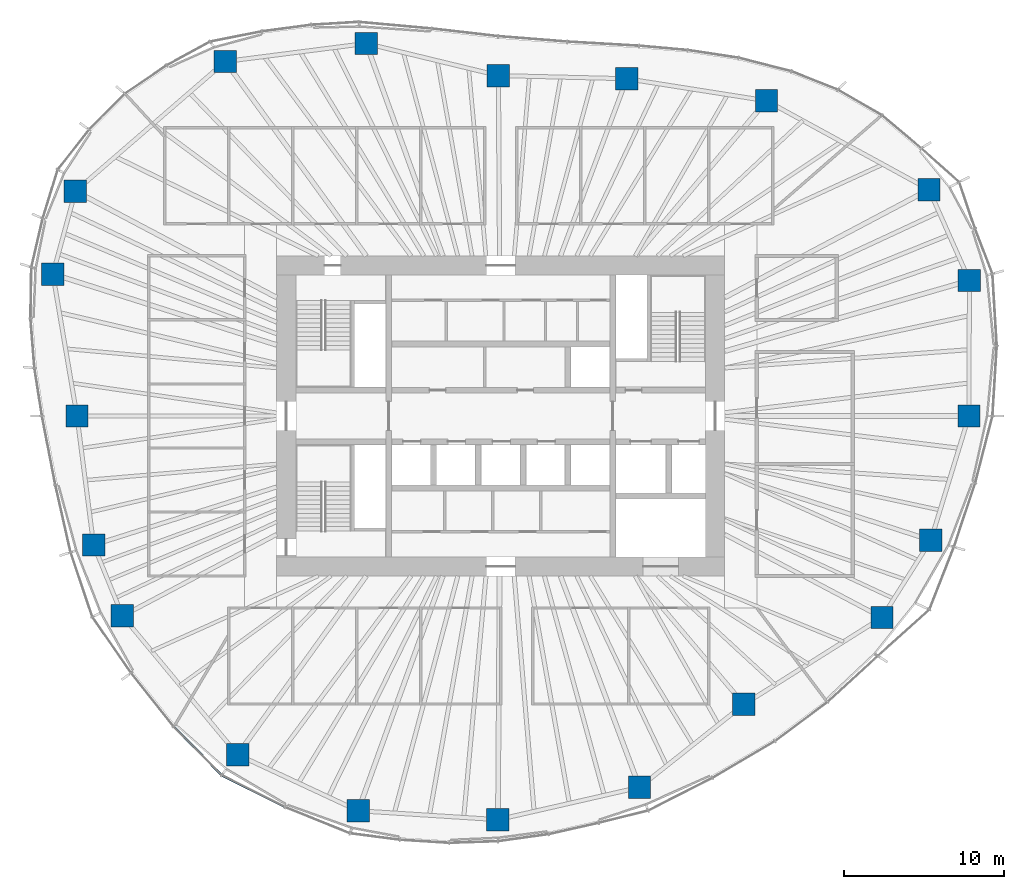
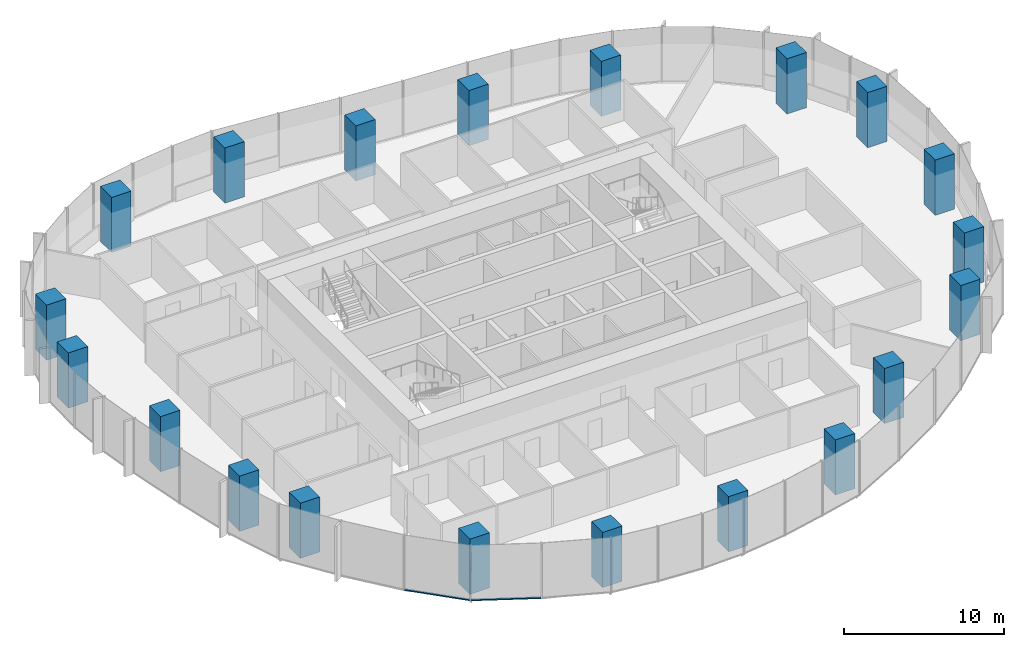
# One storey, part 1 of 18: 20 columns, 2 members, 2 elements without a shape of their own.
"""IFC4 building model written with IfcOpenShell, lengths in metres."""

import ifcopenshell
import ifcopenshell.guid

model = None  # the IFC model being written
_history = None  # IfcOwnerHistory: only IFC2X3 demands one
_inside = {}  # id of a spatial element -> (the spatial element, [elements in it])
_under = {}  # id of a project, library or spatial element -> (it, [spatial elements below it])
_declared = {}  # id of a project -> (the project, [libraries it declares])
_typed = {}  # id of a type object -> (the type object, [elements of that type])
_made_of = {}  # id of a material, layer set ... -> (it, [elements and type objects made of it])


def new_model(schema):
    """Start an empty IFC model of exactly this schema.

    Asked for "IFC4X3", IfcOpenShell would pick the latest addendum, in which some entities
    have other attributes; the version numbers below select the first issue.
    IFC2X3 requires an IfcOwnerHistory on every rooted entity: one is made here for all.
    """
    global model, _history
    if schema == "IFC4X3":
        model = ifcopenshell.file(schema_version=(4, 3, 0, 0))
    else:
        model = ifcopenshell.file(schema=schema)
    _inside.clear()
    _under.clear()
    _declared.clear()
    _typed.clear()
    _made_of.clear()
    _history = None
    if model.schema == "IFC2X3":
        org = make("IfcOrganization", Name="unknown")
        user = make(
            "IfcPersonAndOrganization",
            ThePerson=make("IfcPerson", FamilyName="unknown"),
            TheOrganization=org,
        )
        app = make(
            "IfcApplication",
            ApplicationDeveloper=org,
            Version="unknown",
            ApplicationFullName="unknown",
            ApplicationIdentifier="unknown",
        )
        _history = make(
            "IfcOwnerHistory",
            OwningUser=user,
            OwningApplication=app,
            ChangeAction="ADDED",
            CreationDate=0,
        )
    return model


def make(cls, **values):
    """One entity of the class cls with the attributes given. An attribute that is None is left unset."""
    return model.create_entity(
        cls, **{name: value for name, value in values.items() if value is not None}
    )


def rooted(cls, **values):
    """An entity with a GlobalId (a new one), such as an element, a storey or a relation."""
    return make(cls, GlobalId=ifcopenshell.guid.new(), OwnerHistory=_history, **values)


def si_unit(unit_type, name, prefix=None):
    """IfcSIUnit, for example si_unit("LENGTHUNIT", "METRE", prefix="MILLI")."""
    return make("IfcSIUnit", UnitType=unit_type, Prefix=prefix, Name=name)


def assignment(units):
    """IfcUnitAssignment: the units of a project."""
    return None if units is None else make("IfcUnitAssignment", Units=units)


def point(xyz):
    """IfcCartesianPoint."""
    return None if xyz is None else make("IfcCartesianPoint", Coordinates=xyz)


def direction(xyz):
    """IfcDirection."""
    return None if xyz is None else make("IfcDirection", DirectionRatios=xyz)


def frame(location, z_axis=None, x_axis=None):
    """IfcAxis2Placement3D, a coordinate frame: its origin and axes. An axis left out is left unset."""
    return make(
        "IfcAxis2Placement3D",
        Location=point(location),
        Axis=direction(z_axis),
        RefDirection=direction(x_axis),
    )


def frame_2d(location, x_axis=None):
    """IfcAxis2Placement2D, a coordinate frame in the plane: its origin and x axis."""
    return make(
        "IfcAxis2Placement2D", Location=point(location), RefDirection=direction(x_axis)
    )


def origin():
    """The frame at (0, 0, 0) with its axes left unset."""
    return frame((0.0, 0.0, 0.0))


def origin_2d():
    """The frame at (0, 0) in the plane with its x axis left unset."""
    return frame_2d((0.0, 0.0))


def place(relative_to, where):
    """IfcLocalPlacement: puts the frame where relative to a parent placement (None: the world)."""
    return make(
        "IfcLocalPlacement", PlacementRelTo=relative_to, RelativePlacement=where
    )


def context(
    kind, dimensions, precision=None, world=None, true_north=None, identifier=None
):
    """IfcGeometricRepresentationContext, for example the 3D "Model" context."""
    return make(
        "IfcGeometricRepresentationContext",
        ContextIdentifier=identifier,
        ContextType=kind,
        CoordinateSpaceDimension=dimensions,
        Precision=precision,
        WorldCoordinateSystem=world,
        TrueNorth=true_north,
    )


def subcontext(parent, identifier, kind, view, scale=None):
    """IfcGeometricRepresentationSubContext, for example "Body" below "Model"."""
    return make(
        "IfcGeometricRepresentationSubContext",
        ContextIdentifier=identifier,
        ContextType=kind,
        ParentContext=parent,
        TargetScale=scale,
        TargetView=view,
    )


def project(units=None, contexts=None):
    """IfcProject with its units and contexts."""
    return rooted(
        "IfcProject",
        Name="project",
        RepresentationContexts=contexts,
        UnitsInContext=assignment(units),
    )


def spatial(cls, under=None, at=None, **own):
    """A site, building, storey or space (cls), placed at a placement, below another one or the project."""
    s = rooted(cls, ObjectPlacement=at, **own)
    if under is not None:
        _under.setdefault(under.id(), (under, []))[1].append(s)
    return s


def profile(cls, at=None, kind="AREA", **sizes):
    """A parametric profile (cls). Its sizes go by their IFC names, for example OverallWidth=200.0."""
    return make(cls, ProfileType=kind, Position=at, **sizes)


def rectangle(**sizes):
    """IfcRectangleProfileDef."""
    return profile("IfcRectangleProfileDef", **sizes)


def extrude(swept, where, along, depth):
    """IfcExtrudedAreaSolid: the profile swept, set in the frame where, extruded along a direction by depth."""
    return make(
        "IfcExtrudedAreaSolid",
        SweptArea=swept,
        Position=where,
        ExtrudedDirection=direction(along),
        Depth=depth,
    )


def shape(context_of_items, identifier, shape_type, items):
    """IfcShapeRepresentation: the items that make up one representation, for example the "Body"."""
    return make(
        "IfcShapeRepresentation",
        ContextOfItems=context_of_items,
        RepresentationIdentifier=identifier,
        RepresentationType=shape_type,
        Items=items,
    )


def material(Name=None, Category=None):
    """IfcMaterial."""
    return make("IfcMaterial", Name=Name, Category=Category)


def material_profile(
    of_material, cross_section, Name=None, Category=None, Priority=None
):
    """IfcMaterialProfile: a cross section and its material."""
    return make(
        "IfcMaterialProfile",
        Name=Name,
        Material=of_material,
        Profile=cross_section,
        Priority=Priority,
        Category=Category,
    )


def profile_set(profiles, Name=None, composite=None):
    """IfcMaterialProfileSet."""
    return make(
        "IfcMaterialProfileSet",
        Name=Name,
        MaterialProfiles=profiles,
        CompositeProfile=composite,
    )


def made_of(thing, what):
    """Note that an element or type object is made of a material, layer set ...; save() writes the relation."""
    if what is not None:
        _made_of.setdefault(what.id(), (what, []))[1].append(thing)
    return thing


def type_object(cls, material=None, **own):
    """A type object (cls), such as IfcWallType, which elements share."""
    return made_of(rooted(cls, **own), material)


def element(
    cls,
    number,
    at=None,
    inside=None,
    cuts=None,
    type_object=None,
    material=None,
    context=None,
    identifier="Body",
    shape_type=None,
    held_by="IfcProductDefinitionShape",
    body=None,
    shapes=None,
    **own,
):
    """One element of the class cls, such as IfcWall. Its Tag is "e" and its number.

    at: its placement. inside: the storey or other place that contains it. cuts: it is an
    opening in that element (IfcRelVoidsElement). A single representation is given by context,
    identifier, shape_type and body (its items); several are given by shapes. held_by: the class
    of the entity that holds the representations. save() writes the other relations.
    """
    e = rooted(cls, Tag="e%d" % number, ObjectPlacement=at, **own)
    if body is not None:
        shapes = [shape(context, identifier, shape_type, body)]
    if shapes is not None:
        e.Representation = make(held_by, Representations=shapes)
    if inside is not None:
        _inside.setdefault(inside.id(), (inside, []))[1].append(e)
    if cuts is not None:
        rooted(
            "IfcRelVoidsElement", RelatingBuildingElement=cuts, RelatedOpeningElement=e
        )
    if type_object is not None:
        _typed.setdefault(type_object.id(), (type_object, []))[1].append(e)
    return made_of(e, material)


def aggregate(whole, parts):
    """IfcRelAggregates: a whole, such as a stair, and the parts it consists of."""
    return rooted("IfcRelAggregates", RelatingObject=whole, RelatedObjects=parts)


def save(model, path):
    """Write the relations noted so far, then the file.

    IfcRelAggregates (storeys below a building ...), IfcRelContainedInSpatialStructure (elements
    in a storey), IfcRelDefinesByType, IfcRelAssociatesMaterial and IfcRelDeclares: one each for
    every whole, place, type object, material and project.
    """
    for whole, parts in _under.values():
        aggregate(whole, parts)
    for where, things in _inside.values():
        rooted(
            "IfcRelContainedInSpatialStructure",
            RelatedElements=things,
            RelatingStructure=where,
        )
    for kind, things in _typed.values():
        rooted("IfcRelDefinesByType", RelatedObjects=things, RelatingType=kind)
    for what, things in _made_of.values():
        rooted("IfcRelAssociatesMaterial", RelatedObjects=things, RelatingMaterial=what)
    for by, libraries in _declared.values():
        rooted("IfcRelDeclares", RelatingContext=by, RelatedDefinitions=libraries)
    model.write(path)


model = new_model("IFC4")

# Units and contexts
model_context = context("Model", 3, precision=1e-05, world=origin(), true_north=direction((0.0, 1.0)))
body_context = subcontext(model_context, "Body", "Model", "MODEL_VIEW")
ifc_project = project(units=[si_unit("LENGTHUNIT", "METRE"), si_unit("AREAUNIT", "SQUARE_METRE"), si_unit("VOLUMEUNIT", "CUBIC_METRE"), si_unit("PLANEANGLEUNIT", "RADIAN"), si_unit("MASSUNIT", "GRAM", prefix="KILO")], contexts=[model_context])

# Site, building, storey
site_placement = place(None, origin())
site = spatial("IfcSite", under=ifc_project, at=site_placement, CompositionType="ELEMENT")
building_placement = place(site_placement, origin())
building = spatial("IfcBuilding", under=site, at=building_placement, Name="Ghaith Harvest Tower", CompositionType="ELEMENT")
storey_placement = place(building_placement, frame((0.0, 0.0, 168.0)))
storey = spatial("IfcBuildingStorey", under=building, at=storey_placement, Name="L36", CompositionType="ELEMENT", Elevation=168.0)

# Columns
ifc_material_1 = material(Name="Concrete C60/75", Category="concrete")
ifc_material_profile_1 = material_profile(ifc_material_1, rectangle(XDim=1.39990234375, YDim=1.39990234375, at=origin_2d()), Name="RC1400X1400")
ifc_profile_set_1 = profile_set([ifc_material_profile_1], Name="Concrete C60/75")
column_type = type_object("IfcColumnType", Name="TC4 RC1400X1400", PredefinedType="COLUMN", material=ifc_profile_set_1)
for number, where, z_axis, x_axis, name in (
    (1, (29.259033203125, 0.0, 0.0), (0.0, 0.0, 1.0), (1.0, 0.0, 0.0), "Perimeter column C01"),
    (2, (29.285888671875, 8.464111328125, 0.0), (0.0, 0.0, 1.0), (1.0, 0.0, 0.0), "Perimeter column C02"),
    (3, (26.763916015625, 14.14697265625, 0.0), (0.0, 0.0, 1.0), (1.0, 0.0, 0.0), "Perimeter column C03"),
    (4, (16.60791015625, 19.695068359375, 0.0), (0.0, 0.0, 1.0), (1.0, 0.0, 0.0), "Perimeter column C04"),
    (5, (7.8779296875, 21.072021484375, 0.0), (0.0, 0.0, 1.0), (1.0, 0.0, 0.0), "Perimeter column C05"),
    (6, (-0.14599609375, 21.27099609375, 0.0), (0.0, 0.0, 1.0), (1.0, 0.0, 0.0), "Perimeter column C06"),
    (7, (-8.406982421875, 23.27587890625, 0.0), (0.0, 0.0, 1.0), (1.0, 0.0, 0.0), "Perimeter column C07"),
    (8, (-17.201904296875, 22.14990234375, 0.0), (0.0, 0.0, 1.0), (1.0, 0.0, 0.0), "Perimeter column C08"),
    (9, (-26.572998046875, 14.0458984375, 0.0), (0.0, 0.0, 1.0), (1.0, 0.0, 0.0), "Perimeter column C09"),
    (10, (-27.98291015625, 8.867919921875, 0.0), (0.0, 0.0, 1.0), (1.0, 0.0, 0.0), "Perimeter column C10"),
    (11, (-26.47509765625, 0.0, 0.0), (0.0, 0.0, 1.0), (1.0, 0.0, 0.0), "Perimeter column C11"),
    (12, (-25.43603515625, -8.06103515625, 0.0), (0.0, 0.0, 1.0), (1.0, 0.0, 0.0), "Perimeter column C12"),
    (13, (-23.635009765625, -12.492919921875, 0.0), (0.0, 0.0, 1.0), (1.0, 0.0, 0.0), "Perimeter column C13"),
    (14, (-16.43701171875, -21.1640625, 0.0), (0.0, 0.0, 1.0), (1.0, 0.0, 0.0), "Perimeter column C14"),
    (15, (-8.908935546875, -24.66796875, 0.0), (0.0, 0.0, 1.0), (1.0, 0.0, 0.0), "Perimeter column C15"),
    (16, (-0.173095703125, -25.22412109375, 0.0), (0.0, 0.0, 1.0), (1.0, 0.0, 0.0), "Perimeter column C16"),
    (17, (8.674072265625, -23.202880859375, 0.0), (0.0, 0.0, 1.0), (1.0, 0.0, 0.0), "Perimeter column C17"),
    (18, (15.197998046875, -18.02294921875, 0.0), (0.0, 0.0, 1.0), (1.0, 0.0, 0.0), "Perimeter column C18"),
    (19, (23.825927734375, -12.593994140625, 0.0), (0.0, 0.0, 1.0), (1.0, 0.0, 0.0), "Perimeter column C19"),
    (20, (26.8779296875, -7.76806640625, 0.0), (0.0, 0.0, 1.0), (1.0, 0.0, 0.0), "Perimeter column C20"),
):
    element("IfcColumn", number, at=place(storey_placement, frame(where, z_axis=z_axis, x_axis=x_axis)), inside=storey, type_object=column_type, Name=name, PredefinedType="COLUMN", context=body_context, shape_type="SweptSolid", body=[
        extrude(rectangle(XDim=1.39990234375, YDim=1.39990234375, at=origin_2d()), origin(), (0.0, 0.0, 1.0), 4.199951171875),
    ])

# Curtain wall, member
ifc_material_2 = material(Name="Black anodised aluminium and fritted glass", Category="aluminium")
curtain_wall_type = type_object("IfcCurtainWallType", Name="CW-L CURTAIN WALL", PredefinedType="NOTDEFINED", material=ifc_material_2)
curtain_wall_1_placement = place(storey_placement, origin())
curtain_wall_1 = element("IfcCurtainWall", 21, at=curtain_wall_1_placement, inside=storey, type_object=curtain_wall_type, Name="Curtain wall CW-L bay 13 L36", PredefinedType="NOTDEFINED")
ifc_material_3 = material(Name="Aluminium, black anodised", Category="aluminium")
ifc_material_profile_2 = material_profile(ifc_material_3, rectangle(XDim=0.14990234375, YDim=0.080078125, at=origin_2d()), Name="CW-L TRANSOM 150x80")
ifc_profile_set_2 = profile_set([ifc_material_profile_2], Name="Aluminium, black anodised")
member_type = type_object("IfcMemberType", Name="CW-L TRANSOM 150x80", PredefinedType="USERDEFINED", material=ifc_profile_set_2)
member_1_placement = place(storey_placement, frame((-20.4130859375, -19.425048828125, 0.0400390625), z_axis=(0.702854410476, -0.711333731574, 0.0), x_axis=(0.711333731574, 0.702854410476, 0.0)))
member_1 = element("IfcMember", 22, at=member_1_placement, type_object=member_type, Name="CW-L transom 2 bay 13 L36", ObjectType="TRANSOM", PredefinedType="USERDEFINED", context=body_context, shape_type="SweptSolid", body=[
    extrude(rectangle(XDim=0.14990234375, YDim=0.080078125, at=origin_2d()), origin(), (0.0, 0.0, 1.0), 4.20361328125),
])
aggregate(curtain_wall_1, [member_1])

curtain_wall_2_placement = place(storey_placement, origin())
curtain_wall_2 = element("IfcCurtainWall", 23, at=curtain_wall_2_placement, inside=storey, type_object=curtain_wall_type, Name="Curtain wall CW-L bay 14 L36", PredefinedType="NOTDEFINED")
member_2_placement = place(storey_placement, frame((-17.394775390625, -22.461669921875, 0.0400390625), z_axis=(0.893057524502, -0.449942505138, 0.0), x_axis=(0.449942505138, 0.893057524502, 0.0)))
member_2 = element("IfcMember", 24, at=member_2_placement, type_object=member_type, Name="CW-L transom 1 bay 14 L36", ObjectType="TRANSOM", PredefinedType="USERDEFINED", context=body_context, shape_type="SweptSolid", body=[
    extrude(rectangle(XDim=0.14990234375, YDim=0.080078125, at=origin_2d()), origin(), (0.0, 0.0, 1.0), 4.362548828125),
])
aggregate(curtain_wall_2, [member_2])

save(model, "model.ifc")
